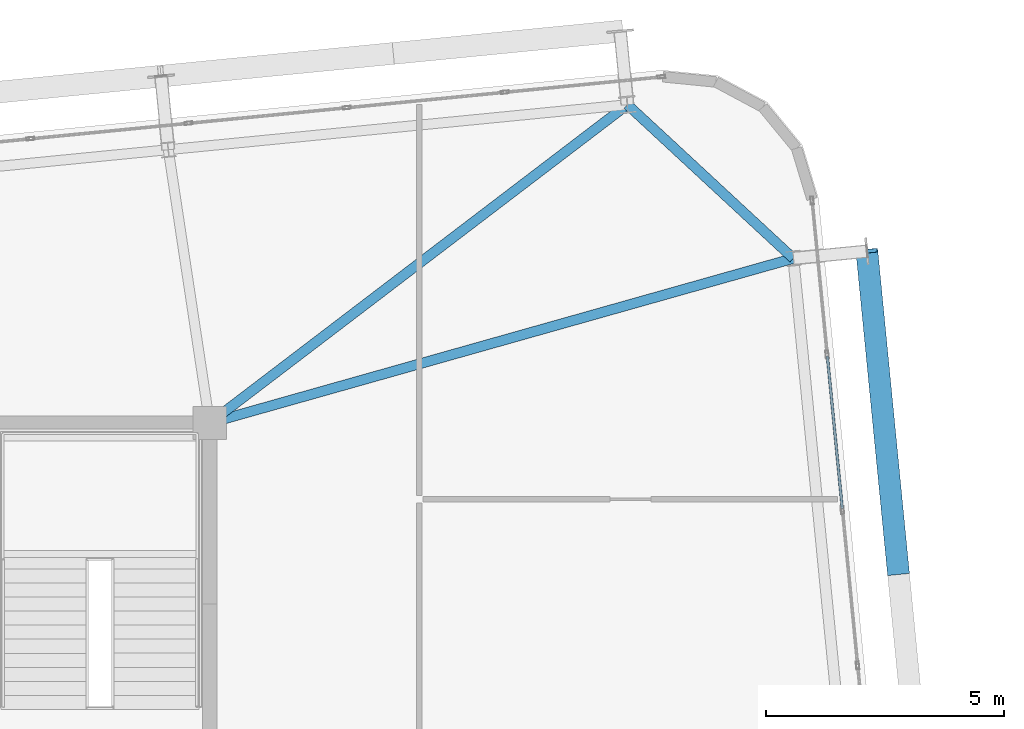
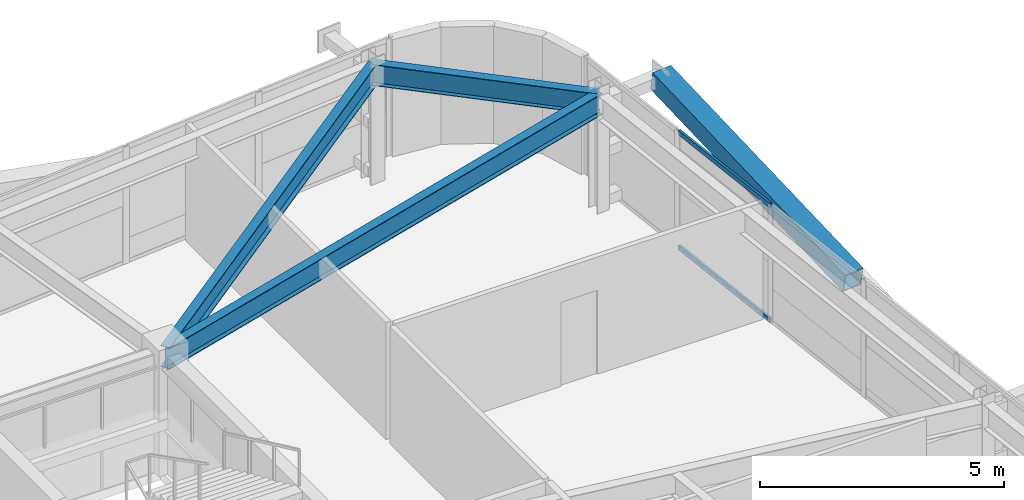
# One storey, part 34 of 53: 3 beams, 3 members, 1 element without a shape of its own.
"""IFC4 building model written with IfcOpenShell, lengths in metres."""

from ifc_helpers import new_model, si_unit, direction, frame, origin, origin_2d, place, context, subcontext, project, spatial, hollow_rectangle, i_section, extrude, source, transform, mapped, material, layer, layer_set, material_profile, profile_set, type_object, element, aggregate, save


model = new_model("IFC4")

# Units and contexts
model_context = context("Model", 3, precision=1e-05, world=origin(), true_north=direction((0.0, 1.0)))
body_context = subcontext(model_context, "Body", "Model", "MODEL_VIEW")
ifc_project = project(units=[si_unit("LENGTHUNIT", "METRE"), si_unit("AREAUNIT", "SQUARE_METRE"), si_unit("VOLUMEUNIT", "CUBIC_METRE"), si_unit("PLANEANGLEUNIT", "RADIAN"), si_unit("MASSUNIT", "GRAM", prefix="KILO")], contexts=[model_context])

# Site, building, storey
site_placement = place(None, origin())
site = spatial("IfcSite", under=ifc_project, at=site_placement, CompositionType="ELEMENT")
building_placement = place(site_placement, origin())
building = spatial("IfcBuilding", under=site, at=building_placement, Name="Taldren Reach Tower", CompositionType="ELEMENT")
storey_placement = place(building_placement, frame((0.0, 0.0, 84.0)))
storey = spatial("IfcBuildingStorey", under=building, at=storey_placement, Name="L25", CompositionType="ELEMENT", Elevation=84.0)

# Beams
ifc_material_1 = material(Name="Steel Gr 350 (350PLUS)", Category="steel")
ifc_material_profile_1 = material_profile(ifc_material_1, i_section(OverallWidth=0.208984375, OverallDepth=0.528076171875, WebThickness=0.009521484375, FlangeThickness=0.01318359375, at=origin_2d()), Name="530UB82.0")
ifc_profile_set_1 = profile_set([ifc_material_profile_1], Name="Steel Gr 350 (350PLUS)")
beam_type_1 = type_object("IfcBeamType", Name="SP-UB530B", PredefinedType="SPANDREL", material=ifc_profile_set_1)
shared_shape_1 = source(origin(), body_context, "Body", "SweptSolid", [
    extrude(i_section(OverallWidth=0.208984375, OverallDepth=0.528076171875, WebThickness=0.009521484375, FlangeThickness=0.01318359375, at=origin_2d()), origin(), (0.0, 0.0, 1.0), 4.74609375),
])
beam_1_placement = place(storey_placement, frame((63.247314453125, 35.454345703125, 2.666015625), z_axis=(-0.733547883762, 0.679637772809, 0.0), x_axis=(-0.679637772809, -0.733547883762, 0.0)))
element("IfcBeam", 1, at=beam_1_placement, inside=storey, type_object=beam_type_1, Name="Perimeter spandrel B2 E3-N6 L25", PredefinedType="SPANDREL", context=body_context, shape_type="MappedRepresentation", body=[
    mapped(shared_shape_1, transform((0.0, 0.0, 0.0), scale=1.0)),
])
ifc_material_profile_2 = material_profile(ifc_material_1, i_section(OverallWidth=0.208984375, OverallDepth=0.532958984375, WebThickness=0.01025390625, FlangeThickness=0.015625, at=origin_2d()), Name="530UB92.4")
ifc_profile_set_2 = profile_set([ifc_material_profile_2], Name="Steel Gr 350 (350PLUS)")
beam_type_2 = type_object("IfcBeamType", Name="BM-UB530A", PredefinedType="BEAM", material=ifc_profile_set_2)
shared_shape_2 = source(origin(), body_context, "Body", "SweptSolid", [
    extrude(i_section(OverallWidth=0.208984375, OverallDepth=0.532958984375, WebThickness=0.01025390625, FlangeThickness=0.015625, at=origin_2d()), origin(), (0.0, 0.0, 1.0), 12.72509765625),
])
beam_2_placement = place(storey_placement, frame((51.0, 32.0, 2.66357421875), z_axis=(0.962450190096, 0.271458342264, 0.0), x_axis=(-0.271458342264, 0.962450190096, 0.0)))
element("IfcBeam", 2, at=beam_2_placement, inside=storey, type_object=beam_type_2, Name="Primary floor girder B2-E3 L25", PredefinedType="BEAM", context=body_context, shape_type="MappedRepresentation", body=[
    mapped(shared_shape_2, transform((0.0, 0.0, 0.0), scale=1.0)),
])
shared_shape_3 = source(origin(), body_context, "Body", "SweptSolid", [
    extrude(i_section(OverallWidth=0.208984375, OverallDepth=0.532958984375, WebThickness=0.01025390625, FlangeThickness=0.015625, at=origin_2d()), origin(), (0.0, 0.0, 1.0), 11.02099609375),
])
beam_3_placement = place(storey_placement, frame((51.0, 32.0, 2.66357421875), z_axis=(0.795380356763, 0.606110623629, 0.0), x_axis=(-0.606110623629, 0.795380356763, 0.0)))
element("IfcBeam", 3, at=beam_3_placement, inside=storey, type_object=beam_type_2, Name="Primary floor girder B2-N6 L25", PredefinedType="BEAM", context=body_context, shape_type="MappedRepresentation", body=[
    mapped(shared_shape_3, transform((0.0, 0.0, 0.0), scale=1.0)),
])

# Member
ifc_material_2 = material(Name="Steel Gr 450 (C450L0)", Category="steel")
ifc_material_profile_3 = material_profile(ifc_material_2, hollow_rectangle(XDim=0.4599609375, YDim=0.4599609375, WallThickness=0.01611328125, at=origin_2d()), Name="460x460x16.0SHS")
ifc_profile_set_3 = profile_set([ifc_material_profile_3], Name="Steel Gr 450 (C450L0)")
member_type_1 = type_object("IfcMemberType", Name="MB-EXO457", PredefinedType="BRACE", material=ifc_profile_set_3)
shared_shape_4 = source(origin(), body_context, "Body", "SweptSolid", [
    extrude(hollow_rectangle(XDim=0.4599609375, YDim=0.4599609375, WallThickness=0.01611328125, at=origin_2d()), origin(), (0.0, 0.0, 1.0), 6.883056640625),
])
member_1_placement = place(storey_placement, frame((65.450927734375, 28.86279296875, 1.43505859375), z_axis=(-0.096052059581, 0.979603316657, 0.176497432967), x_axis=(-0.995227290009, -0.097584021339, 0.0)))
element("IfcMember", 4, at=member_1_placement, inside=storey, type_object=member_type_1, Name="Exoskeleton Diagrid Brace B2-E2 L25", PredefinedType="BRACE", context=body_context, shape_type="MappedRepresentation", body=[
    mapped(shared_shape_4, transform((0.0, 0.0, 0.0), scale=1.0)),
])

# Curtain wall, members
ifc_material_3 = material(Name="Aluminium and Low-E Glass Unitised System", Category="aluminium")
ifc_layer = layer(ifc_material_3, 0.159912109375)
ifc_layer_set = layer_set([ifc_layer], Name="Aluminium and Low-E Glass Unitised System")
curtain_wall_type = type_object("IfcCurtainWallType", Name="CW-SYS-3", PredefinedType="NOTDEFINED", material=ifc_layer_set)
curtain_wall_placement = place(storey_placement, origin())
curtain_wall = element("IfcCurtainWall", 5, at=curtain_wall_placement, inside=storey, type_object=curtain_wall_type, Name="Unitised curtain wall CW-L25-E", PredefinedType="NOTDEFINED")
ifc_material_4 = material(Name="Anodised Aluminium 6063-T6", Category="aluminium")
ifc_material_profile_4 = material_profile(ifc_material_4, hollow_rectangle(XDim=0.054931640625, YDim=0.1201171875, WallThickness=0.0029296875, at=origin_2d()), Name="ALU-120x55x3RHS")
ifc_profile_set_4 = profile_set([ifc_material_profile_4], Name="Anodised Aluminium 6063-T6")
member_type_2 = type_object("IfcMemberType", Name="CW-TRN-135", PredefinedType="USERDEFINED", material=ifc_profile_set_4)
shared_shape_5 = source(origin(), body_context, "Body", "SweptSolid", [
    extrude(hollow_rectangle(XDim=0.054931640625, YDim=0.1201171875, WallThickness=0.0029296875, at=origin_2d()), origin(), (0.0, 0.0, 1.0), 3.212890625),
])
member_2_placement = place(storey_placement, frame((64.274169921875, 30.206298828125, 0.027587890625), z_axis=(-0.097569948235, 0.995228669805, 0.0), x_axis=(-0.995228669805, -0.097569948235, 0.0)))
member_2 = element("IfcMember", 6, at=member_2_placement, type_object=member_type_2, Name="CW-3 transom 8.1", ObjectType="TRANSOM", PredefinedType="USERDEFINED", context=body_context, shape_type="MappedRepresentation", body=[
    mapped(shared_shape_5, transform((0.0, 0.0, 0.0), scale=1.0)),
])
member_3_placement = place(storey_placement, frame((64.274169921875, 30.206298828125, 2.902587890625), z_axis=(-0.097569948235, 0.995228669805, 0.0), x_axis=(-0.995228669805, -0.097569948235, 0.0)))
member_3 = element("IfcMember", 7, at=member_3_placement, type_object=member_type_2, Name="CW-3 transom 8.2", ObjectType="TRANSOM", PredefinedType="USERDEFINED", context=body_context, shape_type="MappedRepresentation", body=[
    mapped(shared_shape_5, transform((0.0, 0.0, 0.0), scale=1.0)),
])
aggregate(curtain_wall, [member_2, member_3])

save(model, "model.ifc")
